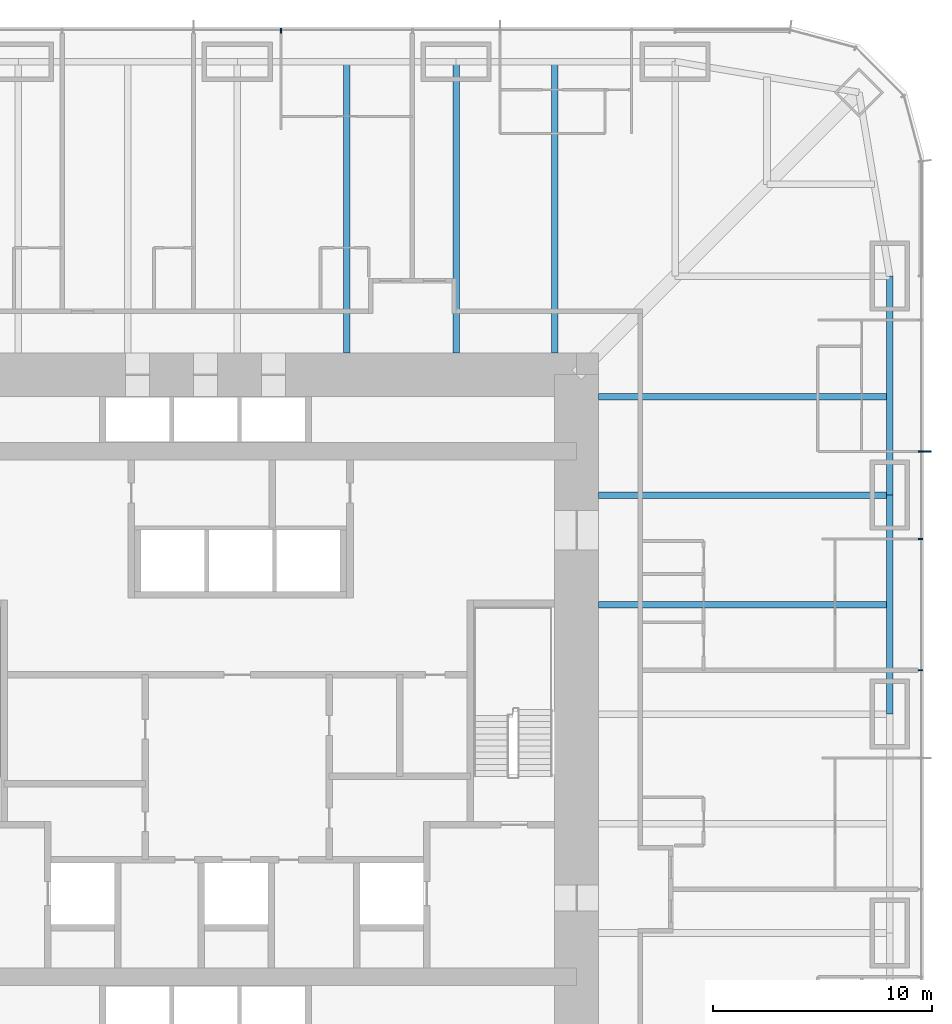
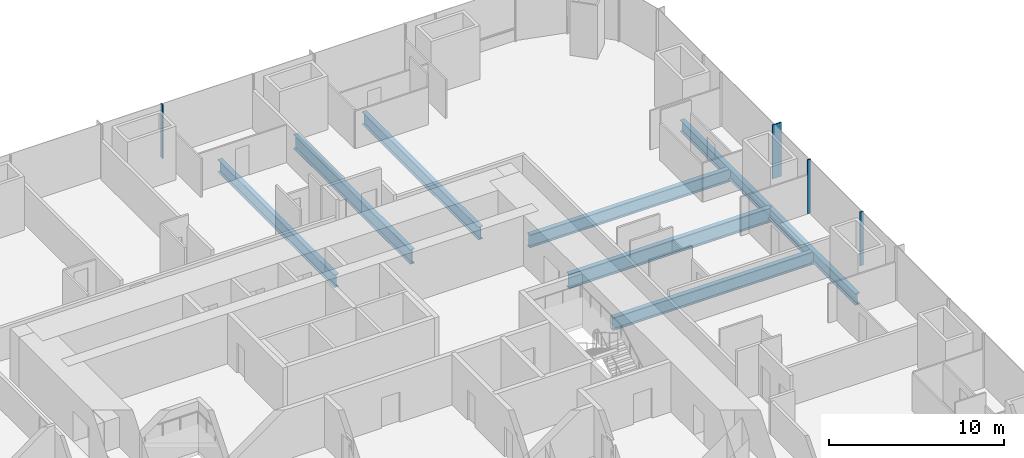
# One storey, part 8 of 16: 8 beams, 4 members, 2 elements without a shape of their own.
"""IFC4 building model written with IfcOpenShell, lengths in metres."""

from ifc_helpers import new_model, si_unit, direction, frame, origin, origin_2d, place, context, subcontext, project, spatial, rectangle, i_section, extrude, material, material_profile, profile_set, type_object, element, aggregate, save


model = new_model("IFC4")

# Units and contexts
model_context = context("Model", 3, precision=1e-05, world=origin(), true_north=direction((0.0, 1.0)))
body_context = subcontext(model_context, "Body", "Model", "MODEL_VIEW")
ifc_project = project(units=[si_unit("LENGTHUNIT", "METRE"), si_unit("AREAUNIT", "SQUARE_METRE"), si_unit("VOLUMEUNIT", "CUBIC_METRE"), si_unit("PLANEANGLEUNIT", "RADIAN"), si_unit("MASSUNIT", "GRAM", prefix="KILO")], contexts=[model_context])

# Site, building, storey
site_placement = place(None, origin())
site = spatial("IfcSite", under=ifc_project, at=site_placement, CompositionType="ELEMENT")
building_placement = place(site_placement, origin())
building = spatial("IfcBuilding", under=site, at=building_placement, Name="Khuree Lantern Residences", CompositionType="ELEMENT")
storey_placement = place(building_placement, frame((0.0, 0.0, 66.0)))
storey = spatial("IfcBuildingStorey", under=building, at=storey_placement, Name="L16", CompositionType="ELEMENT", Elevation=66.0)

# Beams
ifc_material_1 = material(Name="Steel S355", Category="steel")
ifc_material_profile_1 = material_profile(ifc_material_1, i_section(OverallWidth=0.300048828125, OverallDepth=0.889892578125, WebThickness=0.01611328125, FlangeThickness=0.030029296875, FilletRadius=0.030029296875, at=origin_2d()), Name="HE 900 A")
ifc_profile_set_1 = profile_set([ifc_material_profile_1], Name="Steel S355")
beam_type_1 = type_object("IfcBeamType", Name="B-14 SECONDARY BEAM HE 900 A", PredefinedType="BEAM", material=ifc_profile_set_1)
for number, where, z_axis, x_axis, name in (
    (1, (5.0, 29.800048828125, -0.695068359375), (0.0, -1.0, 0.0), (1.0, 0.0, 0.0), "Secondary beam N3"),
    (2, (14.5, 29.800048828125, -0.695068359375), (0.0, -1.0, 0.0), (1.0, 0.0, 0.0), "Secondary beam N4"),
    (3, (29.800048828125, 14.5, -0.695068359375), (-1.0, 0.0, 0.0), (0.0, -1.0, 0.0), "Secondary beam E2"),
    (4, (29.800048828125, 5.0, -0.695068359375), (-1.0, 0.0, 0.0), (0.0, -1.0, 0.0), "Secondary beam E3"),
):
    element("IfcBeam", number, at=place(storey_placement, frame(where, z_axis=z_axis, x_axis=x_axis)), inside=storey, type_object=beam_type_1, Name=name, PredefinedType="BEAM", context=body_context, shape_type="SweptSolid", body=[
        extrude(i_section(OverallWidth=0.300048828125, OverallDepth=0.889892578125, WebThickness=0.01611328125, FlangeThickness=0.030029296875, FilletRadius=0.030029296875, at=origin_2d()), origin(), (0.0, 0.0, 1.0), 13.300048828125),
    ])
ifc_material_profile_2 = material_profile(ifc_material_1, i_section(OverallWidth=0.300048828125, OverallDepth=0.7900390625, WebThickness=0.014892578125, FlangeThickness=0.028076171875, FilletRadius=0.030029296875, at=origin_2d()), Name="HE 800 A")
ifc_profile_set_2 = profile_set([ifc_material_profile_2], Name="Steel S355")
beam_type_2 = type_object("IfcBeamType", Name="E-14 SPANDREL BEAM HE 800 A", PredefinedType="SPANDREL", material=ifc_profile_set_2)
for number, where, z_axis, x_axis, name in (
    (5, (29.800048828125, 20.0, -0.64501953125), (0.0, -1.0, 0.0), (1.0, 0.0, 0.0), "Spandrel beam E2"),
    (6, (29.800048828125, 10.0, -0.64501953125), (0.0, -1.0, 0.0), (1.0, 0.0, 0.0), "Spandrel beam E3"),
):
    element("IfcBeam", number, at=place(storey_placement, frame(where, z_axis=z_axis, x_axis=x_axis)), inside=storey, type_object=beam_type_2, Name=name, PredefinedType="SPANDREL", context=body_context, shape_type="SweptSolid", body=[
        extrude(i_section(OverallWidth=0.300048828125, OverallDepth=0.7900390625, WebThickness=0.014892578125, FlangeThickness=0.028076171875, FilletRadius=0.030029296875, at=origin_2d()), origin(), (0.0, 0.0, 1.0), 10.0),
    ])

# Curtain wall, member
ifc_material_2 = material(Name="Bronze anodised aluminium", Category="aluminium")
curtain_wall_type = type_object("IfcCurtainWallType", Name="CW-T1 TOWER FACE CURTAIN WALL", PredefinedType="USERDEFINED", material=ifc_material_2)
curtain_wall_1_placement = place(storey_placement, origin())
curtain_wall_1 = element("IfcCurtainWall", 7, at=curtain_wall_1_placement, inside=storey, type_object=curtain_wall_type, Name="L16 EAST FACE CURTAIN WALL", ObjectType="Stick-built curtain wall", PredefinedType="USERDEFINED")
ifc_material_profile_3 = material_profile(ifc_material_2, rectangle(XDim=0.06494140625, YDim=0.60009765625, at=origin_2d()), Name="F1 65X600")
ifc_profile_set_3 = profile_set([ifc_material_profile_3], Name="Bronze anodised aluminium")
member_type_1 = type_object("IfcMemberType", Name="F1 BRONZE FIN MULLION TOWER 65X600", PredefinedType="MULLION", material=ifc_profile_set_3)
member_1_placement = place(storey_placement, frame((31.39990234375, 12.0, 0.0), z_axis=(0.0, 0.0, 1.0), x_axis=(0.0, 1.0, 0.0)))
member_1 = element("IfcMember", 8, at=member_1_placement, type_object=member_type_1, Name="L16 EAST FACE FIN MULLION 12", PredefinedType="MULLION", context=body_context, shape_type="SweptSolid", body=[
    extrude(rectangle(XDim=0.06494140625, YDim=0.60009765625, at=origin_2d()), origin(), (0.0, 0.0, 1.0), 3.75),
])

# Beams
ifc_material_profile_4 = material_profile(ifc_material_1, i_section(OverallWidth=0.302001953125, OverallDepth=1.008056640625, WebThickness=0.02099609375, FlangeThickness=0.0400390625, FilletRadius=0.030029296875, at=origin_2d()), Name="HE 1000 M")
ifc_profile_set_4 = profile_set([ifc_material_profile_4], Name="Steel S355")
beam_type_3 = type_object("IfcBeamType", Name="G-14 GIRDER HE 1000 M", PredefinedType="BEAM", material=ifc_profile_set_4)
for number, where, z_axis, x_axis, name in (
    (9, (10.0, 29.800048828125, -0.75390625), (0.0, -1.0, 0.0), (1.0, 0.0, 0.0), "Girder N4"),
    (10, (29.800048828125, 10.0, -0.75390625), (-1.0, 0.0, 0.0), (0.0, -1.0, 0.0), "Girder E2"),
):
    element("IfcBeam", number, at=place(storey_placement, frame(where, z_axis=z_axis, x_axis=x_axis)), inside=storey, type_object=beam_type_3, Name=name, PredefinedType="BEAM", context=body_context, shape_type="SweptSolid", body=[
        extrude(i_section(OverallWidth=0.302001953125, OverallDepth=1.008056640625, WebThickness=0.02099609375, FlangeThickness=0.0400390625, FilletRadius=0.030029296875, at=origin_2d()), origin(), (0.0, 0.0, 1.0), 13.300048828125),
    ])

# Member
ifc_material_profile_5 = material_profile(ifc_material_2, rectangle(XDim=0.06494140625, YDim=0.219970703125, at=origin_2d()), Name="M1 65X220")
ifc_profile_set_5 = profile_set([ifc_material_profile_5], Name="Bronze anodised aluminium")
member_type_2 = type_object("IfcMemberType", Name="M1 BRONZE MULLION TOWER 65X220", PredefinedType="MULLION", material=ifc_profile_set_5)
member_2_placement = place(storey_placement, frame((31.2099609375, 2.0, 0.0), z_axis=(0.0, 0.0, 1.0), x_axis=(0.0, 1.0, 0.0)))
member_2 = element("IfcMember", 11, at=member_2_placement, type_object=member_type_2, Name="L16 EAST FACE MULLION 10", PredefinedType="MULLION", context=body_context, shape_type="SweptSolid", body=[
    extrude(rectangle(XDim=0.06494140625, YDim=0.219970703125, at=origin_2d()), origin(), (0.0, 0.0, 1.0), 3.75),
])

member_3_placement = place(storey_placement, frame((31.2099609375, 8.0, 0.0), z_axis=(0.0, 0.0, 1.0), x_axis=(0.0, 1.0, 0.0)))
member_3 = element("IfcMember", 12, at=member_3_placement, type_object=member_type_2, Name="L16 EAST FACE MULLION 11", PredefinedType="MULLION", context=body_context, shape_type="SweptSolid", body=[
    extrude(rectangle(XDim=0.06494140625, YDim=0.219970703125, at=origin_2d()), origin(), (0.0, 0.0, 1.0), 3.75),
])

aggregate(curtain_wall_1, [member_2, member_3, member_1])

# Curtain wall, member
curtain_wall_2_placement = place(storey_placement, origin())
curtain_wall_2 = element("IfcCurtainWall", 13, at=curtain_wall_2_placement, inside=storey, type_object=curtain_wall_type, Name="L16 NORTH FACE CURTAIN WALL", ObjectType="Stick-built curtain wall", PredefinedType="USERDEFINED")
member_4_placement = place(storey_placement, frame((2.0, 31.2099609375, 0.0), z_axis=(0.0, 0.0, 1.0), x_axis=(-1.0, 0.0, 0.0)))
member_4 = element("IfcMember", 14, at=member_4_placement, type_object=member_type_2, Name="L16 NORTH FACE MULLION 23", PredefinedType="MULLION", context=body_context, shape_type="SweptSolid", body=[
    extrude(rectangle(XDim=0.06494140625, YDim=0.219970703125, at=origin_2d()), origin(), (0.0, 0.0, 1.0), 3.75),
])
aggregate(curtain_wall_2, [member_4])

save(model, "model.ifc")
